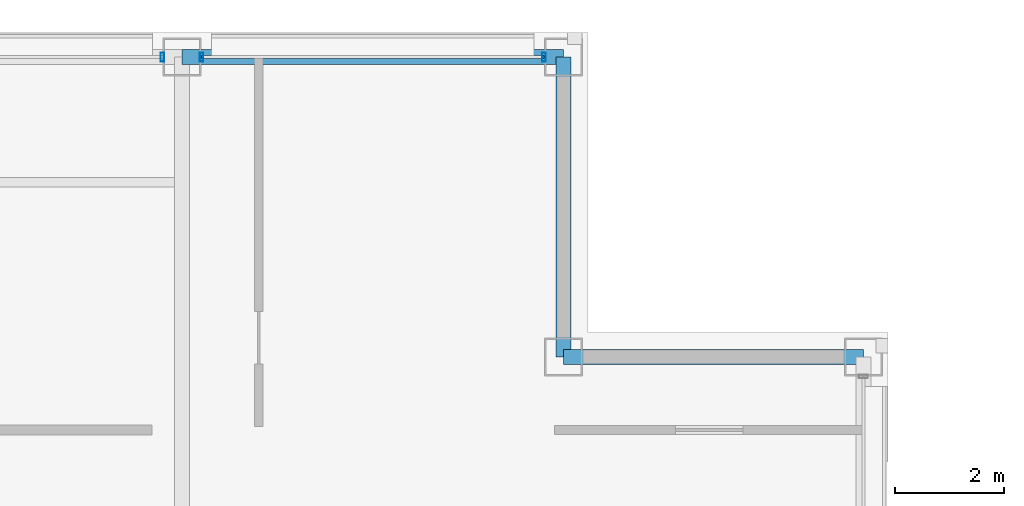
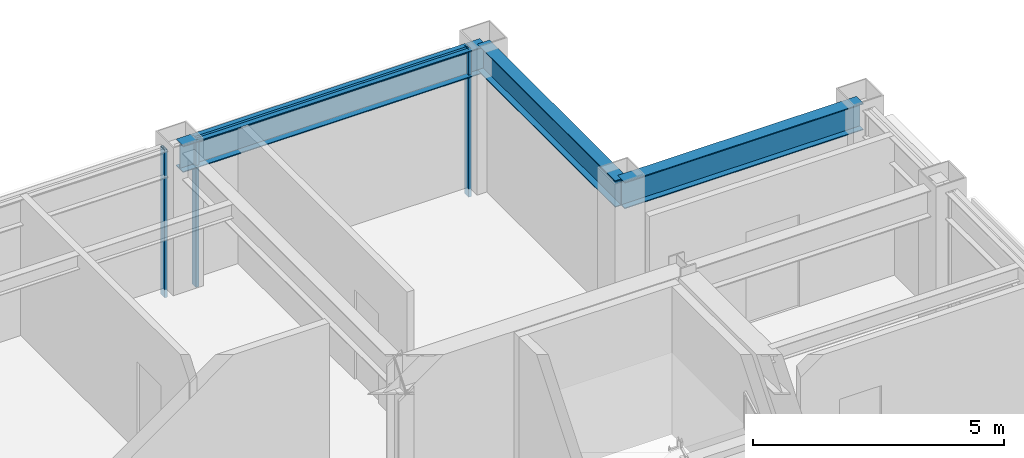
# One storey, part 22 of 30: 4 members, 3 beams, 2 elements without a shape of their own.
"""IFC4 building model written with IfcOpenShell, lengths in metres."""

from ifc_helpers import new_model, si_unit, direction, frame, origin, origin_2d, place, context, subcontext, project, spatial, hollow_rectangle, i_section, extrude, material, layer, layer_set, material_profile, profile_set, type_object, element, aggregate, save


model = new_model("IFC4")

# Units and contexts
model_context = context("Model", 3, precision=1e-05, world=origin(), true_north=direction((0.0, 1.0)))
body_context = subcontext(model_context, "Body", "Model", "MODEL_VIEW")
ifc_project = project(units=[si_unit("LENGTHUNIT", "METRE"), si_unit("AREAUNIT", "SQUARE_METRE"), si_unit("VOLUMEUNIT", "CUBIC_METRE"), si_unit("PLANEANGLEUNIT", "RADIAN"), si_unit("MASSUNIT", "GRAM", prefix="KILO")], contexts=[model_context])

# Site, building, storey
site_placement = place(None, origin())
site = spatial("IfcSite", under=ifc_project, at=site_placement, CompositionType="ELEMENT")
building_placement = place(site_placement, origin())
building = spatial("IfcBuilding", under=site, at=building_placement, Name="Brelmoor Portico Tower", CompositionType="ELEMENT")
storey_placement = place(building_placement, frame((0.0, 0.0, 198.300048828125)))
storey = spatial("IfcBuildingStorey", under=building, at=storey_placement, Name="L52", CompositionType="ELEMENT", Elevation=198.300048828125)

# Beams
ifc_material_1 = material(Name="Steel Q355B", Category="steel")
ifc_material_profile_1 = material_profile(ifc_material_1, i_section(OverallWidth=0.280029296875, OverallDepth=0.64990234375, WebThickness=0.012939453125, FlangeThickness=0.02197265625, at=origin_2d()), Name="HN 650x280x13x22")
ifc_profile_set_1 = profile_set([ifc_material_profile_1], Name="Steel Q355B")
beam_type = type_object("IfcBeamType", Name="BM-SP-650", PredefinedType="SPANDREL", material=ifc_profile_set_1)
beam_1_placement = place(storey_placement, frame((15.050048828125, 13.050048828125, 3.074951171875), z_axis=(1.0, 0.0, 0.0), x_axis=(0.0, 1.0, 0.0)))
element("IfcBeam", 1, at=beam_1_placement, inside=storey, type_object=beam_type, Name="L52 Perimeter Spandrel Beam SP-07", PredefinedType="SPANDREL", context=body_context, shape_type="SweptSolid", body=[
    extrude(i_section(OverallWidth=0.280029296875, OverallDepth=0.64990234375, WebThickness=0.012939453125, FlangeThickness=0.02197265625, at=origin_2d()), origin(), (0.0, 0.0, 1.0), 5.5),
])
beam_2_placement = place(storey_placement, frame((8.050048828125, 18.550048828125, 3.074951171875), z_axis=(1.0, 0.0, 0.0), x_axis=(0.0, 1.0, 0.0)))
element("IfcBeam", 2, at=beam_2_placement, inside=storey, type_object=beam_type, Name="L52 Perimeter Spandrel Beam SP-10", PredefinedType="SPANDREL", context=body_context, shape_type="SweptSolid", body=[
    extrude(i_section(OverallWidth=0.280029296875, OverallDepth=0.64990234375, WebThickness=0.012939453125, FlangeThickness=0.02197265625, at=origin_2d()), origin(), (0.0, 0.0, 1.0), 7.0),
])
beam_3_placement = place(storey_placement, frame((15.050048828125, 13.050048828125, 3.074951171875), z_axis=(0.0, 1.0, 0.0), x_axis=(-1.0, 0.0, 0.0)))
element("IfcBeam", 3, at=beam_3_placement, inside=storey, type_object=beam_type, Name="L52 Perimeter Spandrel Beam SP-17", PredefinedType="SPANDREL", context=body_context, shape_type="SweptSolid", body=[
    extrude(i_section(OverallWidth=0.280029296875, OverallDepth=0.64990234375, WebThickness=0.012939453125, FlangeThickness=0.02197265625, at=origin_2d()), origin(), (0.0, 0.0, 1.0), 5.5),
])

# Curtain wall, member
ifc_material_2 = material(Name="Anodised Aluminium Alloy 6063-T6", Category="aluminium")
ifc_layer = layer(ifc_material_2, 0.179931640625)
ifc_layer_set = layer_set([ifc_layer], Name="Anodised Aluminium Alloy 6063-T6")
curtain_wall_type = type_object("IfcCurtainWallType", Name="CW-TOWER-Z3-XB", PredefinedType="NOTDEFINED", material=ifc_layer_set)
curtain_wall_1_placement = place(storey_placement, origin())
curtain_wall_1 = element("IfcCurtainWall", 4, at=curtain_wall_1_placement, inside=storey, type_object=curtain_wall_type, Name="L52 Curtain Wall CW-L52-02-2", PredefinedType="NOTDEFINED")
ifc_material_profile_2 = material_profile(ifc_material_2, hollow_rectangle(XDim=0.06494140625, YDim=0.1650390625, WallThickness=0.00390625, at=origin_2d()), Name="ALU MULLION 65x165")
ifc_profile_set_2 = profile_set([ifc_material_profile_2], Name="Anodised Aluminium Alloy 6063-T6")
member_type_1 = type_object("IfcMemberType", Name="MB-CW-MULL-165", PredefinedType="MULLION", material=ifc_profile_set_2)
member_1_placement = place(storey_placement, frame((7.68994140625, 18.550048828125, -0.199951171875), z_axis=(0.0, 0.0, 1.0), x_axis=(1.0, 0.0, 0.0)))
member_1 = element("IfcMember", 5, at=member_1_placement, type_object=member_type_1, Name="CW-L52-02-2 Mullion 01", PredefinedType="MULLION", context=body_context, shape_type="SweptSolid", body=[
    extrude(hollow_rectangle(XDim=0.06494140625, YDim=0.1650390625, WallThickness=0.00390625, at=origin_2d()), origin(), (0.0, 0.0, 1.0), 3.599853515625),
])
aggregate(curtain_wall_1, [member_1])

# Curtain wall, members
curtain_wall_2_placement = place(storey_placement, origin())
curtain_wall_2 = element("IfcCurtainWall", 6, at=curtain_wall_2_placement, inside=storey, type_object=curtain_wall_type, Name="L52 Curtain Wall CW-L52-02-3", PredefinedType="NOTDEFINED")
member_2_placement = place(storey_placement, frame((8.409912109375, 18.550048828125, -0.199951171875), z_axis=(0.0, 0.0, 1.0), x_axis=(1.0, 0.0, 0.0)))
member_2 = element("IfcMember", 7, at=member_2_placement, type_object=member_type_1, Name="CW-L52-02-3 Mullion 00", PredefinedType="MULLION", context=body_context, shape_type="SweptSolid", body=[
    extrude(hollow_rectangle(XDim=0.06494140625, YDim=0.1650390625, WallThickness=0.00390625, at=origin_2d()), origin(), (0.0, 0.0, 1.0), 3.599853515625),
])
member_3_placement = place(storey_placement, frame((14.68994140625, 18.550048828125, -0.199951171875), z_axis=(0.0, 0.0, 1.0), x_axis=(1.0, 0.0, 0.0)))
member_3 = element("IfcMember", 8, at=member_3_placement, type_object=member_type_1, Name="CW-L52-02-3 Mullion 01", PredefinedType="MULLION", context=body_context, shape_type="SweptSolid", body=[
    extrude(hollow_rectangle(XDim=0.06494140625, YDim=0.1650390625, WallThickness=0.00390625, at=origin_2d()), origin(), (0.0, 0.0, 1.0), 3.599853515625),
])
ifc_material_profile_3 = material_profile(ifc_material_2, hollow_rectangle(XDim=0.06005859375, YDim=0.125, WallThickness=0.00341796875, at=origin_2d()), Name="ALU TRANSOM 60x125")
ifc_profile_set_3 = profile_set([ifc_material_profile_3], Name="Anodised Aluminium Alloy 6063-T6")
member_type_2 = type_object("IfcMemberType", Name="MB-CW-TRAN-125", PredefinedType="USERDEFINED", material=ifc_profile_set_3)
member_4_placement = place(storey_placement, frame((8.409912109375, 18.550048828125, 3.33740234375), z_axis=(1.0, 0.0, 0.0), x_axis=(0.0, 1.0, 0.0)))
member_4 = element("IfcMember", 9, at=member_4_placement, type_object=member_type_2, Name="CW-L52-02-3 Transom 1-00", ObjectType="TRANSOM", PredefinedType="USERDEFINED", context=body_context, shape_type="SweptSolid", body=[
    extrude(hollow_rectangle(XDim=0.06005859375, YDim=0.125, WallThickness=0.00341796875, at=origin_2d()), origin(), (0.0, 0.0, 1.0), 6.280029296875),
])
aggregate(curtain_wall_2, [member_2, member_3, member_4])

save(model, "model.ifc")
